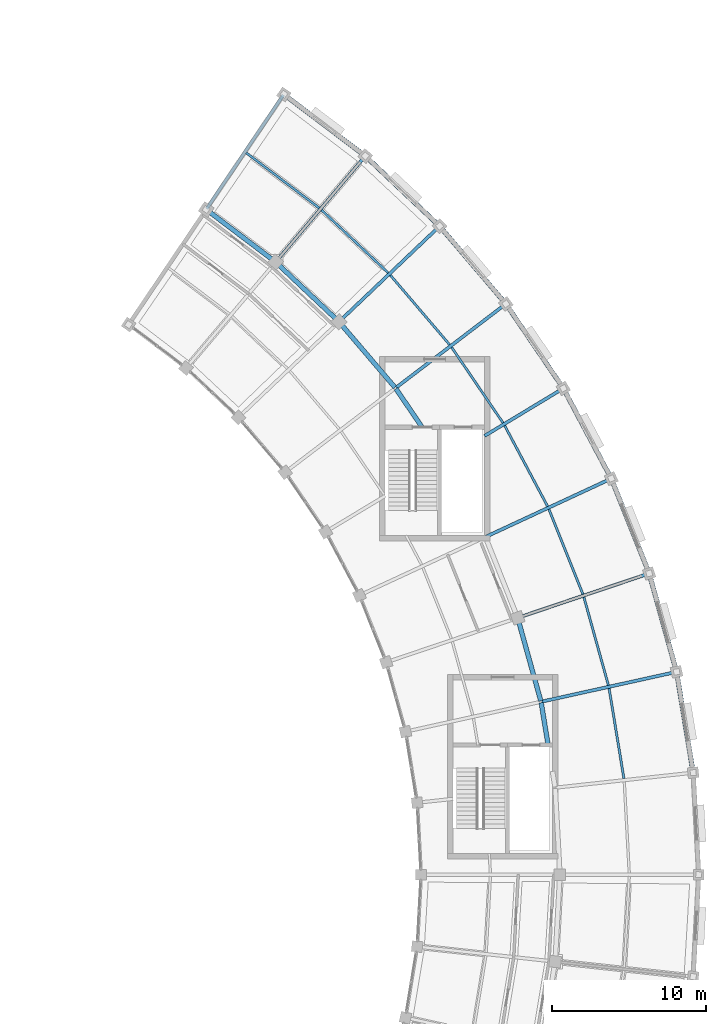
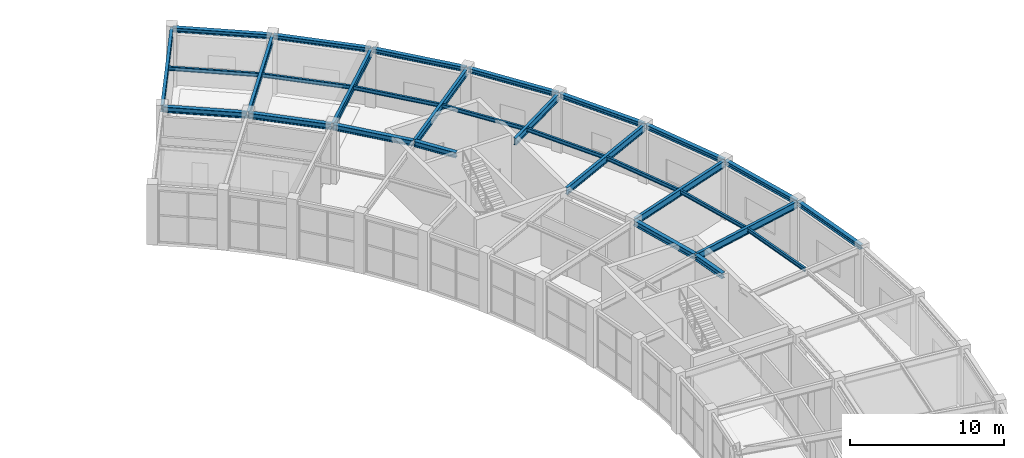
# One storey, part 66 of 100: 30 beams.
"""IFC4 building model written with IfcOpenShell, lengths in metres."""

from ifc_helpers import new_model, si_unit, direction, frame, origin, origin_2d, place, context, subcontext, project, spatial, i_section, extrude, material, material_profile, profile_set, type_object, element, save


model = new_model("IFC4")

# Units and contexts
model_context = context("Model", 3, precision=1e-05, world=origin(), true_north=direction((0.0, 1.0)))
body_context = subcontext(model_context, "Body", "Model", "MODEL_VIEW")
ifc_project = project(units=[si_unit("LENGTHUNIT", "METRE"), si_unit("AREAUNIT", "SQUARE_METRE"), si_unit("VOLUMEUNIT", "CUBIC_METRE"), si_unit("PLANEANGLEUNIT", "RADIAN"), si_unit("MASSUNIT", "GRAM", prefix="KILO")], contexts=[model_context])

# Site, building, storey
site_placement = place(None, origin())
site = spatial("IfcSite", under=ifc_project, at=site_placement, CompositionType="ELEMENT")
building_placement = place(site_placement, origin())
building = spatial("IfcBuilding", under=site, at=building_placement, Name="Tarnveldt Headland Concert Hall", CompositionType="ELEMENT")
storey_placement = place(building_placement, frame((0.0, 0.0, 4.800048828125)))
storey = spatial("IfcBuildingStorey", under=building, at=storey_placement, Name="L01", CompositionType="ELEMENT", Elevation=4.800048828125)

# Beams
ifc_material = material(Name="Steel S355", Category="steel")
ifc_material_profile_1 = material_profile(ifc_material, i_section(OverallWidth=0.300048828125, OverallDepth=0.35009765625, WebThickness=0.010009765625, FlangeThickness=0.017578125, FilletRadius=0.027099609375, at=origin_2d()), Name="HEA360", Category="steel")
ifc_profile_set_1 = profile_set([ifc_material_profile_1], Name="Steel S355")
beam_type_1 = type_object("IfcBeamType", Name="SB-HEA360", PredefinedType="SPANDREL", material=ifc_profile_set_1)
beam_1_placement = place(storey_placement, frame((178.130859375, 66.670654296875, 4.364990234375), z_axis=(-0.162188067735, 0.986759864752, 0.0), x_axis=(-0.986759864752, -0.162188067735, 0.0)))
element("IfcBeam", 1, at=beam_1_placement, inside=storey, type_object=beam_type_1, Name="Framing beam L01-810", PredefinedType="SPANDREL", context=body_context, shape_type="SweptSolid", body=[
    extrude(i_section(OverallWidth=0.300048828125, OverallDepth=0.35009765625, WebThickness=0.010009765625, FlangeThickness=0.017578125, FilletRadius=0.027099609375, at=origin_2d()), origin(), (0.0, 0.0, 1.0), 6.50146484375),
])
beam_2_placement = place(storey_placement, frame((177.05078125, 73.202880859375, 4.364990234375), z_axis=(-0.268162889674, 0.963373585169, 0.0), x_axis=(-0.963373585169, -0.268162889674, 0.0)))
element("IfcBeam", 2, at=beam_2_placement, inside=storey, type_object=beam_type_1, Name="Framing beam L01-817", PredefinedType="SPANDREL", context=body_context, shape_type="SweptSolid", body=[
    extrude(i_section(OverallWidth=0.300048828125, OverallDepth=0.35009765625, WebThickness=0.010009765625, FlangeThickness=0.017578125, FilletRadius=0.027099609375, at=origin_2d()), origin(), (0.0, 0.0, 1.0), 6.501220703125),
])
beam_3_placement = place(storey_placement, frame((175.268798828125, 79.57958984375, 4.364990234375), z_axis=(-0.370995678575, 0.928634592549, 0.0), x_axis=(-0.928634592549, -0.370995678575, 0.0)))
element("IfcBeam", 3, at=beam_3_placement, inside=storey, type_object=beam_type_1, Name="Framing beam L01-824", PredefinedType="SPANDREL", context=body_context, shape_type="SweptSolid", body=[
    extrude(i_section(OverallWidth=0.300048828125, OverallDepth=0.35009765625, WebThickness=0.010009765625, FlangeThickness=0.017578125, FilletRadius=0.027099609375, at=origin_2d()), origin(), (0.0, 0.0, 1.0), 6.5009765625),
])
beam_4_placement = place(storey_placement, frame((172.806396484375, 85.7255859375, 4.364990234375), z_axis=(-0.469455397466, 0.882956187922, 0.0), x_axis=(-0.882956187922, -0.469455397466, 0.0)))
element("IfcBeam", 4, at=beam_4_placement, inside=storey, type_object=beam_type_1, Name="Framing beam L01-830", PredefinedType="SPANDREL", context=body_context, shape_type="SweptSolid", body=[
    extrude(i_section(OverallWidth=0.300048828125, OverallDepth=0.35009765625, WebThickness=0.010009765625, FlangeThickness=0.017578125, FilletRadius=0.027099609375, at=origin_2d()), origin(), (0.0, 0.0, 1.0), 6.501220703125),
])
for number, where, z_axis, x_axis, name in (
    (5, (169.6923828125, 91.568359375, 4.364990234375), (-0.562406572897, 0.826860838813, 0.0), (-0.826860838813, -0.562406572897, 0.0), "Framing beam L01-837"),
    (6, (165.96337890625, 97.039306640625, 4.364990234375), (-0.648710643709, 0.761035150791, 0.0), (-0.761035150791, -0.648710643709, 0.0), "Framing beam L01-844"),
):
    element("IfcBeam", number, at=place(storey_placement, frame(where, z_axis=z_axis, x_axis=x_axis)), inside=storey, type_object=beam_type_1, Name=name, PredefinedType="SPANDREL", context=body_context, shape_type="SweptSolid", body=[
        extrude(i_section(OverallWidth=0.300048828125, OverallDepth=0.35009765625, WebThickness=0.010009765625, FlangeThickness=0.017578125, FilletRadius=0.027099609375, at=origin_2d()), origin(), (0.0, 0.0, 1.0), 6.5009765625),
    ])
beam_5_placement = place(storey_placement, frame((161.66357421875, 102.07373046875, 4.364990234375), z_axis=(-0.727385871825, 0.686228674328, 0.0), x_axis=(-0.686228674328, -0.727385871825, 0.0)))
element("IfcBeam", 7, at=beam_5_placement, inside=storey, type_object=beam_type_1, Name="Framing beam L01-851", PredefinedType="SPANDREL", context=body_context, shape_type="SweptSolid", body=[
    extrude(i_section(OverallWidth=0.300048828125, OverallDepth=0.35009765625, WebThickness=0.010009765625, FlangeThickness=0.017578125, FilletRadius=0.027099609375, at=origin_2d()), origin(), (0.0, 0.0, 1.0), 6.50146484375),
])
beam_6_placement = place(storey_placement, frame((156.84326171875, 106.612548828125, 4.364990234375), z_axis=(-0.797469381904, 0.603359416041, 0.0), x_axis=(-0.603359416041, -0.797469381904, 0.0)))
element("IfcBeam", 8, at=beam_6_placement, inside=storey, type_object=beam_type_1, Name="Framing beam L01-858", PredefinedType="SPANDREL", context=body_context, shape_type="SweptSolid", body=[
    extrude(i_section(OverallWidth=0.300048828125, OverallDepth=0.35009765625, WebThickness=0.010009765625, FlangeThickness=0.017578125, FilletRadius=0.027099609375, at=origin_2d()), origin(), (0.0, 0.0, 1.0), 6.501220703125),
])
ifc_material_profile_2 = material_profile(ifc_material, i_section(OverallWidth=0.300048828125, OverallDepth=0.43994140625, WebThickness=0.011474609375, FlangeThickness=0.02099609375, FilletRadius=0.027099609375, at=origin_2d()), Name="HEA450", Category="steel")
ifc_profile_set_2 = profile_set([ifc_material_profile_2], Name="Steel S355")
beam_type_2 = type_object("IfcBeamType", Name="SB-HEA450", PredefinedType="BEAM", material=ifc_profile_set_2)
beam_7_placement = place(storey_placement, frame((168.739501953125, 68.39990234375, 4.320068359375), z_axis=(-0.162179692028, 0.986761241382, 0.0), x_axis=(-0.986761241382, -0.162179692028, 0.0)))
element("IfcBeam", 9, at=beam_7_placement, inside=storey, type_object=beam_type_2, Name="Framing beam L01-809", PredefinedType="BEAM", context=body_context, shape_type="SweptSolid", body=[
    extrude(i_section(OverallWidth=0.300048828125, OverallDepth=0.43994140625, WebThickness=0.011474609375, FlangeThickness=0.02099609375, FilletRadius=0.027099609375, at=origin_2d()), origin(), (0.0, 0.0, 1.0), 2.783447265625),
])
beam_8_placement = place(storey_placement, frame((168.26220703125, 71.263427734375, 4.320068359375), z_axis=(-0.268165788284, 0.963372778313, 0.0), x_axis=(-0.963372778313, -0.268165788284, 0.0)))
element("IfcBeam", 10, at=beam_8_placement, inside=storey, type_object=beam_type_2, Name="Framing beam L01-816", PredefinedType="BEAM", context=body_context, shape_type="SweptSolid", body=[
    extrude(i_section(OverallWidth=0.300048828125, OverallDepth=0.43994140625, WebThickness=0.011474609375, FlangeThickness=0.02099609375, FilletRadius=0.027099609375, at=origin_2d()), origin(), (0.0, 0.0, 1.0), 5.5244140625),
])
beam_9_placement = place(storey_placement, frame((160.57080078125, 89.0, 4.320068359375), z_axis=(-0.562434400968, 0.826841910288, 0.0), x_axis=(-0.826841910288, -0.562434400968, 0.0)))
element("IfcBeam", 11, at=beam_9_placement, inside=storey, type_object=beam_type_2, Name="Framing beam L01-836", PredefinedType="BEAM", context=body_context, shape_type="SweptSolid", body=[
    extrude(i_section(OverallWidth=0.300048828125, OverallDepth=0.43994140625, WebThickness=0.011474609375, FlangeThickness=0.02099609375, FilletRadius=0.027099609375, at=origin_2d()), origin(), (0.0, 0.0, 1.0), 3.00634765625),
])
for number, where, z_axis, x_axis, name in (
    (12, (158.807373046875, 91.581298828125, 4.320068359375), (-0.648725364662, 0.761022602322, 0.0), (-0.761022602322, -0.648725364662, 0.0), "Framing beam L01-843"),
    (13, (155.14111328125, 95.872314453125, 4.320068359375), (-0.727401560734, 0.686212044081, 0.0), (-0.686212044081, -0.727401560734, 0.0), "Framing beam L01-850"),
):
    element("IfcBeam", number, at=place(storey_placement, frame(where, z_axis=z_axis, x_axis=x_axis)), inside=storey, type_object=beam_type_2, Name=name, PredefinedType="BEAM", context=body_context, shape_type="SweptSolid", body=[
        extrude(i_section(OverallWidth=0.300048828125, OverallDepth=0.43994140625, WebThickness=0.011474609375, FlangeThickness=0.02099609375, FilletRadius=0.027099609375, at=origin_2d()), origin(), (0.0, 0.0, 1.0), 5.524169921875),
    ])
beam_10_placement = place(storey_placement, frame((151.031494140625, 99.740478515625, 4.320068359375), z_axis=(-0.79747936857, 0.603346216285, 0.0), x_axis=(-0.603346216285, -0.79747936857, 0.0)))
element("IfcBeam", 14, at=beam_10_placement, inside=storey, type_object=beam_type_2, Name="Framing beam L01-857", PredefinedType="BEAM", context=body_context, shape_type="SweptSolid", body=[
    extrude(i_section(OverallWidth=0.300048828125, OverallDepth=0.43994140625, WebThickness=0.011474609375, FlangeThickness=0.02099609375, FilletRadius=0.027099609375, at=origin_2d()), origin(), (0.0, 0.0, 1.0), 5.524658203125),
])
ifc_material_profile_3 = material_profile(ifc_material, i_section(OverallWidth=0.14990234375, OverallDepth=0.300048828125, WebThickness=0.007080078125, FlangeThickness=0.0107421875, FilletRadius=0.014892578125, at=origin_2d()), Name="IPE300", Category="steel")
ifc_profile_set_3 = profile_set([ifc_material_profile_3], Name="Steel S355")
beam_type_3 = type_object("IfcBeamType", Name="SB-IPE300", PredefinedType="JOIST", material=ifc_profile_set_3)
beam_11_placement = place(storey_placement, frame((173.650146484375, 66.227294921875, 4.389892578125), z_axis=(-0.162159317287, 0.986764589868, 0.0), x_axis=(-0.986764589868, -0.162159317287, 0.0)))
element("IfcBeam", 15, at=beam_11_placement, inside=storey, type_object=beam_type_3, Name="Framing beam L01-812", PredefinedType="JOIST", context=body_context, shape_type="SweptSolid", body=[
    extrude(i_section(OverallWidth=0.14990234375, OverallDepth=0.300048828125, WebThickness=0.007080078125, FlangeThickness=0.0107421875, FilletRadius=0.014892578125, at=origin_2d()), origin(), (0.0, 0.0, 1.0), 5.9228515625),
])
beam_12_placement = place(storey_placement, frame((172.644287109375, 72.276611328125, 4.389892578125), z_axis=(-0.268143442058, 0.96337899836, 0.0), x_axis=(-0.96337899836, -0.268143442058, 0.0)))
element("IfcBeam", 16, at=beam_12_placement, inside=storey, type_object=beam_type_3, Name="Framing beam L01-819", PredefinedType="JOIST", context=body_context, shape_type="SweptSolid", body=[
    extrude(i_section(OverallWidth=0.14990234375, OverallDepth=0.300048828125, WebThickness=0.007080078125, FlangeThickness=0.0107421875, FilletRadius=0.014892578125, at=origin_2d()), origin(), (0.0, 0.0, 1.0), 5.922607421875),
])
beam_13_placement = place(storey_placement, frame((170.989013671875, 78.180908203125, 4.389892578125), z_axis=(-0.371013987619, 0.928627277755, 0.0), x_axis=(-0.928627277755, -0.371013987619, 0.0)))
element("IfcBeam", 17, at=beam_13_placement, inside=storey, type_object=beam_type_3, Name="Framing beam L01-826", PredefinedType="JOIST", context=body_context, shape_type="SweptSolid", body=[
    extrude(i_section(OverallWidth=0.14990234375, OverallDepth=0.300048828125, WebThickness=0.007080078125, FlangeThickness=0.0107421875, FilletRadius=0.014892578125, at=origin_2d()), origin(), (0.0, 0.0, 1.0), 5.923095703125),
])
for number, where, z_axis, x_axis, name in (
    (18, (168.703369140625, 83.871337890625, 4.389892578125), (-0.469496755618, 0.882934197132, 0.0), (-0.882934197132, -0.469496755618, 0.0), "Framing beam L01-832"),
    (19, (165.814208984375, 89.2802734375, 4.389892578125), (-0.562372031055, 0.826884332109, 0.0), (-0.826884332109, -0.562372031055, 0.0), "Framing beam L01-839"),
    (20, (162.356201171875, 94.344482421875, 4.389892578125), (-0.648731827873, 0.761017092781, 0.0), (-0.761017092781, -0.648731827873, 0.0), "Framing beam L01-846"),
):
    element("IfcBeam", number, at=place(storey_placement, frame(where, z_axis=z_axis, x_axis=x_axis)), inside=storey, type_object=beam_type_3, Name=name, PredefinedType="JOIST", context=body_context, shape_type="SweptSolid", body=[
        extrude(i_section(OverallWidth=0.14990234375, OverallDepth=0.300048828125, WebThickness=0.007080078125, FlangeThickness=0.0107421875, FilletRadius=0.014892578125, at=origin_2d()), origin(), (0.0, 0.0, 1.0), 5.9228515625),
    ])
beam_14_placement = place(storey_placement, frame((158.369384765625, 99.00390625, 4.389892578125), z_axis=(-0.727377734645, 0.68623729944, 0.0), x_axis=(-0.68623729944, -0.727377734645, 0.0)))
element("IfcBeam", 21, at=beam_14_placement, inside=storey, type_object=beam_type_3, Name="Framing beam L01-853", PredefinedType="JOIST", context=body_context, shape_type="SweptSolid", body=[
    extrude(i_section(OverallWidth=0.14990234375, OverallDepth=0.300048828125, WebThickness=0.007080078125, FlangeThickness=0.0107421875, FilletRadius=0.014892578125, at=origin_2d()), origin(), (0.0, 0.0, 1.0), 5.92236328125),
])
beam_15_placement = place(storey_placement, frame((153.9013671875, 103.20361328125, 4.389892578125), z_axis=(-0.797485181363, 0.603338533086, 0.0), x_axis=(-0.603338533086, -0.797485181363, 0.0)))
element("IfcBeam", 22, at=beam_15_placement, inside=storey, type_object=beam_type_3, Name="Framing beam L01-860", PredefinedType="JOIST", context=body_context, shape_type="SweptSolid", body=[
    extrude(i_section(OverallWidth=0.14990234375, OverallDepth=0.300048828125, WebThickness=0.007080078125, FlangeThickness=0.0107421875, FilletRadius=0.014892578125, at=origin_2d()), origin(), (0.0, 0.0, 1.0), 5.9228515625),
])
ifc_material_profile_4 = material_profile(ifc_material, i_section(OverallWidth=0.2099609375, OverallDepth=0.550048828125, WebThickness=0.010986328125, FlangeThickness=0.01708984375, FilletRadius=0.02392578125, at=origin_2d()), Name="IPE550", Category="steel")
ifc_profile_set_4 = profile_set([ifc_material_profile_4], Name="Steel S355")
beam_type_4 = type_object("IfcBeamType", Name="SB-IPE550", PredefinedType="BEAM", material=ifc_profile_set_4)
for number, where, z_axis, x_axis, name in (
    (23, (168.3369140625, 71.218505859375, 4.264892578125), (0.976505569656, 0.215492163268, 0.0), (-0.215492163268, 0.976505569656, 0.0), "Framing beam L01-814"),
    (24, (166.8212890625, 76.662353515625, 4.264892578125), (0.947394358085, 0.320068633686, 0.0), (-0.320068633686, 0.947394358085, 0.0), "Framing beam L01-821"),
    (25, (164.724853515625, 81.909912109375, 4.264892578125), (0.907125568287, 0.420860075749, 0.0), (-0.420860075749, 0.907125568287, 0.0), "Framing beam L01-828"),
):
    element("IfcBeam", number, at=place(storey_placement, frame(where, z_axis=z_axis, x_axis=x_axis)), inside=storey, type_object=beam_type_4, Name=name, PredefinedType="BEAM", context=body_context, shape_type="SweptSolid", body=[
        extrude(i_section(OverallWidth=0.2099609375, OverallDepth=0.550048828125, WebThickness=0.010986328125, FlangeThickness=0.01708984375, FilletRadius=0.02392578125, at=origin_2d()), origin(), (0.0, 0.0, 1.0), 8.880126953125),
    ])
beam_16_placement = place(storey_placement, frame((164.6201171875, 88.43701171875, 4.264892578125), z_axis=(0.856147288877, 0.516731864461, 0.0), x_axis=(-0.516731864461, 0.856147288877, 0.0)))
element("IfcBeam", 26, at=beam_16_placement, inside=storey, type_object=beam_type_4, Name="Framing beam L01-834", PredefinedType="BEAM", context=body_context, shape_type="SweptSolid", body=[
    extrude(i_section(OverallWidth=0.2099609375, OverallDepth=0.550048828125, WebThickness=0.010986328125, FlangeThickness=0.01708984375, FilletRadius=0.02392578125, at=origin_2d()), origin(), (0.0, 0.0, 1.0), 5.904052734375),
])
beam_17_placement = place(storey_placement, frame((158.89404296875, 91.572021484375, 4.264892578125), z_axis=(0.795130566959, 0.606438275084, 0.0), x_axis=(-0.606438275084, 0.795130566959, 0.0)))
element("IfcBeam", 27, at=beam_17_placement, inside=storey, type_object=beam_type_4, Name="Framing beam L01-841", PredefinedType="BEAM", context=body_context, shape_type="SweptSolid", body=[
    extrude(i_section(OverallWidth=0.2099609375, OverallDepth=0.550048828125, WebThickness=0.010986328125, FlangeThickness=0.01708984375, FilletRadius=0.02392578125, at=origin_2d()), origin(), (0.0, 0.0, 1.0), 8.879638671875),
])
beam_18_placement = place(storey_placement, frame((155.228271484375, 95.872314453125, 4.264892578125), z_axis=(0.724698020854, 0.689066599517, 0.0), x_axis=(-0.689066599517, 0.724698020854, 0.0)))
element("IfcBeam", 28, at=beam_18_placement, inside=storey, type_object=beam_type_4, Name="Framing beam L01-848", PredefinedType="BEAM", context=body_context, shape_type="SweptSolid", body=[
    extrude(i_section(OverallWidth=0.2099609375, OverallDepth=0.550048828125, WebThickness=0.010986328125, FlangeThickness=0.01708984375, FilletRadius=0.02392578125, at=origin_2d()), origin(), (0.0, 0.0, 1.0), 8.8798828125),
])
beam_19_placement = place(storey_placement, frame((151.117919921875, 99.750244140625, 4.264892578125), z_axis=(0.645759819996, 0.763540604604, 0.0), x_axis=(-0.763540604604, 0.645759819996, 0.0)))
element("IfcBeam", 29, at=beam_19_placement, inside=storey, type_object=beam_type_4, Name="Framing beam L01-855", PredefinedType="BEAM", context=body_context, shape_type="SweptSolid", body=[
    extrude(i_section(OverallWidth=0.2099609375, OverallDepth=0.550048828125, WebThickness=0.010986328125, FlangeThickness=0.01708984375, FilletRadius=0.02392578125, at=origin_2d()), origin(), (0.0, 0.0, 1.0), 8.880126953125),
])
beam_20_placement = place(storey_placement, frame((146.611572265625, 103.15966796875, 4.264892578125), z_axis=(0.5591904504, 0.829039227167, 0.0), x_axis=(-0.829039227167, 0.5591904504, 0.0)))
element("IfcBeam", 30, at=beam_20_placement, inside=storey, type_object=beam_type_4, Name="Framing beam L01-862", PredefinedType="BEAM", context=body_context, shape_type="SweptSolid", body=[
    extrude(i_section(OverallWidth=0.2099609375, OverallDepth=0.550048828125, WebThickness=0.010986328125, FlangeThickness=0.01708984375, FilletRadius=0.02392578125, at=origin_2d()), origin(), (0.0, 0.0, 1.0), 8.8798828125),
])

save(model, "model.ifc")
